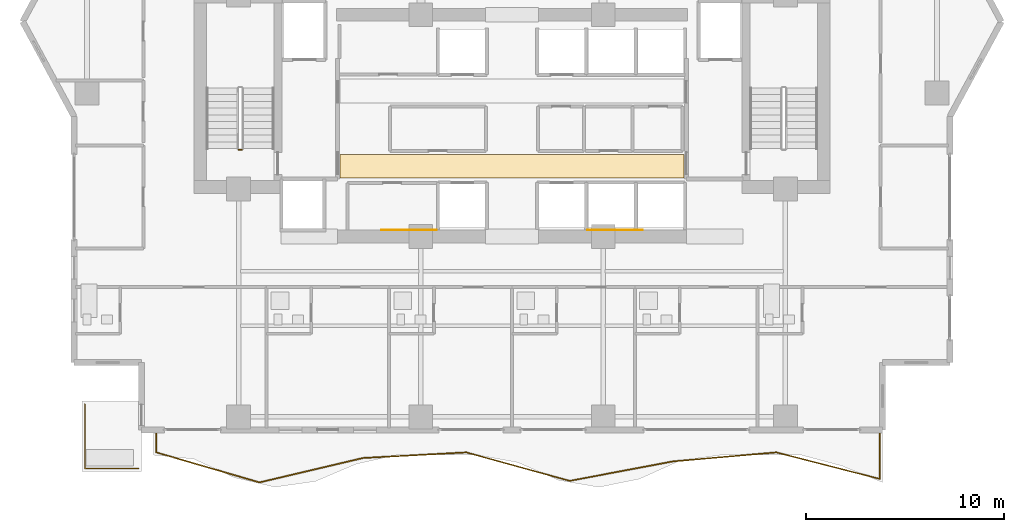
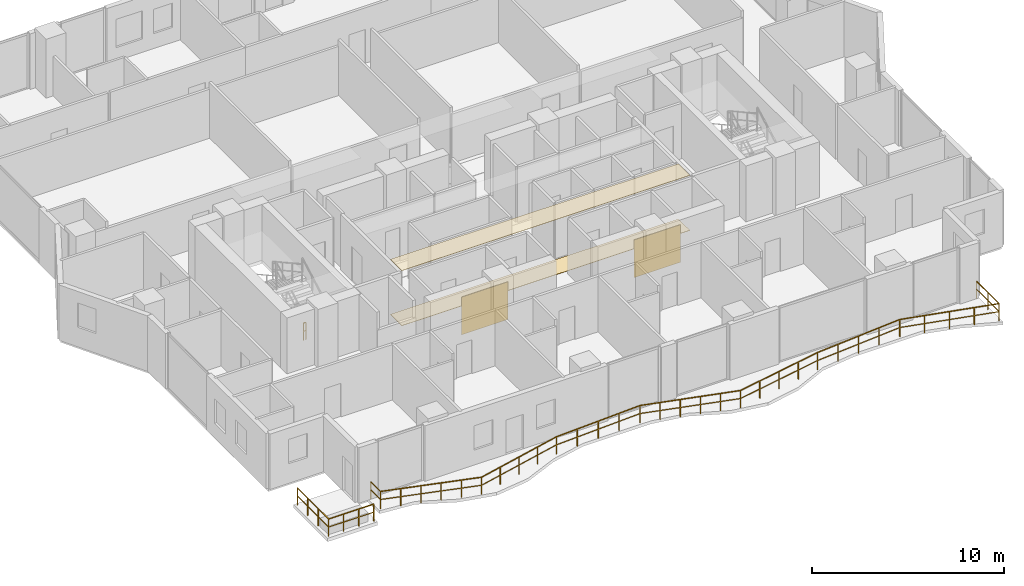
# One storey, part 29 of 32: 4 coverings, 3 railings.
"""IFC4 building model written with IfcOpenShell, lengths in metres."""

from ifc_helpers import new_model, si_unit, direction, frame, origin, origin_2d, place, context, subcontext, project, spatial, polyline, rectangle, outline, extrude, material, layer, layer_set, type_object, element, save


model = new_model("IFC4")

# Units and contexts
model_context = context("Model", 3, precision=1e-05, world=origin(), true_north=direction((0.0, 1.0)))
body_context = subcontext(model_context, "Body", "Model", "MODEL_VIEW")
ifc_project = project(units=[si_unit("LENGTHUNIT", "METRE"), si_unit("AREAUNIT", "SQUARE_METRE"), si_unit("VOLUMEUNIT", "CUBIC_METRE"), si_unit("PLANEANGLEUNIT", "RADIAN"), si_unit("MASSUNIT", "GRAM", prefix="KILO")], contexts=[model_context])

# Site, building, storey
site_placement = place(None, origin())
site = spatial("IfcSite", under=ifc_project, at=site_placement, CompositionType="ELEMENT")
building_placement = place(site_placement, origin())
building = spatial("IfcBuilding", under=site, at=building_placement, Name="Zuhayl Quay Hotel", CompositionType="ELEMENT")
storey_placement = place(building_placement, frame((0.0, 0.0, 192.39990234375)))
storey = spatial("IfcBuildingStorey", under=building, at=storey_placement, Name="L48", CompositionType="ELEMENT", Elevation=192.39990234375)

# Coverings
ifc_material_1 = material(Name="Acoustic Mineral-Fibre Gypsum Board")
ifc_layer_1 = layer(ifc_material_1, 0.02490234375, Name="Acoustic Mineral-Fibre Gypsum Board")
ifc_layer_set_1 = layer_set([ifc_layer_1], Name="Acoustic Mineral-Fibre Gypsum Board")
covering_type_1 = type_object("IfcCoveringType", Name="CV_CEIL_ACOUSTIC", PredefinedType="CEILING", material=ifc_layer_set_1)
covering_1_placement = place(storey_placement, frame((0.0, 0.0, 3.505126953125)))
element("IfcCovering", 1, at=covering_1_placement, inside=storey, type_object=covering_type_1, Name="L48 Suspended Acoustic Lobby Ceiling S", PredefinedType="CEILING", context=body_context, shape_type="SweptSolid", body=[
    extrude(outline(polyline([(-8.679931640625, 5.10009765625), (8.679931640625, 5.10009765625), (8.679931640625, 6.300048828125), (-8.679931640625, 6.300048828125), (-8.679931640625, 5.10009765625)])), origin(), (0.0, 0.0, 1.0), 0.02490234375),
])
ifc_material_2 = material(Name="Polished Limestone Terrazzo", Category="masonry")
ifc_layer_2 = layer(ifc_material_2, 0.02001953125, Name="Polished Limestone Terrazzo", Category="masonry")
ifc_layer_set_2 = layer_set([ifc_layer_2], Name="Polished Limestone Terrazzo")
covering_type_2 = type_object("IfcCoveringType", Name="CV_FLOOR_TERRAZZO", PredefinedType="FLOORING", material=ifc_layer_set_2)
covering_2_placement = place(storey_placement, origin())
element("IfcCovering", 2, at=covering_2_placement, inside=storey, type_object=covering_type_2, Name="L48 Honed Limestone Terrazzo Lobby Flooring S", PredefinedType="FLOORING", context=body_context, shape_type="SweptSolid", body=[
    extrude(outline(polyline([(-8.679931640625, 5.10009765625), (8.679931640625, 5.10009765625), (8.679931640625, 6.300048828125), (-8.679931640625, 6.300048828125), (-8.679931640625, 5.10009765625)])), origin(), (0.0, 0.0, 1.0), 0.02001953125),
])
ifc_material_3 = material(Name="Acoustic Walnut Feature Timber", Category="wood")
ifc_layer_3 = layer(ifc_material_3, 0.02197265625, Name="Acoustic Walnut Feature Timber", Category="wood")
ifc_layer_set_3 = layer_set([ifc_layer_3], Name="Acoustic Walnut Feature Timber")
covering_type_3 = type_object("IfcCoveringType", Name="CV_WALL_CLAD", PredefinedType="CLADDING", material=ifc_layer_set_3)
for number, where, z_axis, x_axis, name in (
    (3, (-5.199951171875, 2.486083984375, 0.300048828125), (0.0, 0.0, 1.0), (1.0, 0.0, 0.0), "L48 Feature Lobby Walnut Wall Cladding W"),
    (4, (5.199951171875, 2.486083984375, 0.300048828125), (0.0, 0.0, 1.0), (1.0, 0.0, 0.0), "L48 Feature Lobby Walnut Wall Cladding E"),
):
    element("IfcCovering", number, at=place(storey_placement, frame(where, z_axis=z_axis, x_axis=x_axis)), inside=storey, type_object=covering_type_3, Name=name, PredefinedType="CLADDING", context=body_context, shape_type="SweptSolid", body=[
        extrude(rectangle(XDim=2.800048828125, YDim=0.02197265625, at=origin_2d()), origin(), (0.0, 0.0, 1.0), 2.39990234375),
    ])

# Railings
ifc_material_4 = material(Name="Anodised Aluminium and Laminated Glass", Category="aluminium")
railing_type_1 = type_object("IfcRailingType", Name="RL_EXT_BAL_1100", PredefinedType="BALUSTRADE", material=ifc_material_4)
railing_1_placement = place(storey_placement, frame((-17.9599609375, -7.719970703125, 0.0)))
element("IfcRailing", 5, at=railing_1_placement, inside=storey, type_object=railing_type_1, Name="L48 Balcony and Terrace Guard GR_L48_BAL_S", PredefinedType="BALUSTRADE", context=body_context, shape_type="SweptSolid", body=[
    extrude(rectangle(XDim=0.048095703125, YDim=0.048095703125, at=origin_2d()), frame((0.0, 0.0, 1.09619140625), z_axis=(0.0, -1.0, 0.0), x_axis=(1.0, 0.0, 0.0)), (0.0, 0.0, 1.0), 1.02001953125),
    extrude(rectangle(XDim=0.0361328125, YDim=0.0361328125, at=origin_2d()), frame((0.0, 0.0, 0.58251953125), z_axis=(0.0, -1.0, 0.0), x_axis=(1.0, 0.0, 0.0)), (0.0, 0.0, 1.0), 1.02001953125),
    extrude(rectangle(XDim=0.048095703125, YDim=0.048095703125, at=origin_2d()), frame((0.0, -1.02001953125, 1.09619140625), z_axis=(0.960248748144, -0.279145735573, 0.0), x_axis=(0.279145735573, 0.960248748144, 0.0)), (0.0, 0.0, 1.0), 5.43310546875),
    extrude(rectangle(XDim=0.0361328125, YDim=0.0361328125, at=origin_2d()), frame((0.0, -1.02001953125, 0.58251953125), z_axis=(0.960248748144, -0.279145735573, 0.0), x_axis=(0.279145735573, 0.960248748144, 0.0)), (0.0, 0.0, 1.0), 5.43310546875),
    extrude(rectangle(XDim=0.048095703125, YDim=0.048095703125, at=origin_2d()), frame((5.217041015625, -2.53662109375, 1.09619140625), z_axis=(0.973226302947, 0.229849000981, 0.0), x_axis=(-0.229849000981, 0.973226302947, 0.0)), (0.0, 0.0, 1.0), 5.36083984375),
    extrude(rectangle(XDim=0.0361328125, YDim=0.0361328125, at=origin_2d()), frame((5.217041015625, -2.53662109375, 0.58251953125), z_axis=(0.973226302947, 0.229849000981, 0.0), x_axis=(-0.229849000981, 0.973226302947, 0.0)), (0.0, 0.0, 1.0), 5.36083984375),
    extrude(rectangle(XDim=0.048095703125, YDim=0.048095703125, at=origin_2d()), frame((10.434326171875, -1.304443359375, 1.09619140625), z_axis=(0.998517186082, 0.054437386952, 0.0), x_axis=(-0.054437386952, 0.998517186082, 0.0)), (0.0, 0.0, 1.0), 5.224853515625),
    extrude(rectangle(XDim=0.0361328125, YDim=0.0361328125, at=origin_2d()), frame((10.434326171875, -1.304443359375, 0.58251953125), z_axis=(0.998517186082, 0.054437386952, 0.0), x_axis=(-0.054437386952, 0.998517186082, 0.0)), (0.0, 0.0, 1.0), 5.224853515625),
    extrude(rectangle(XDim=0.048095703125, YDim=0.048095703125, at=origin_2d()), frame((15.6513671875, -1.02001953125, 1.09619140625), z_axis=(0.964052411392, -0.265712152695, 0.0), x_axis=(0.265712152695, 0.964052411392, 0.0)), (0.0, 0.0, 1.0), 5.411865234375),
    extrude(rectangle(XDim=0.0361328125, YDim=0.0361328125, at=origin_2d()), frame((15.6513671875, -1.02001953125, 0.58251953125), z_axis=(0.964052411392, -0.265712152695, 0.0), x_axis=(0.265712152695, 0.964052411392, 0.0)), (0.0, 0.0, 1.0), 5.411865234375),
    extrude(rectangle(XDim=0.048095703125, YDim=0.048095703125, at=origin_2d()), frame((20.86865234375, -2.4580078125, 1.09619140625), z_axis=(0.982727673086, 0.185057614137, 0.0), x_axis=(-0.185057614137, 0.982727673086, 0.0)), (0.0, 0.0, 1.0), 5.308837890625),
    extrude(rectangle(XDim=0.0361328125, YDim=0.0361328125, at=origin_2d()), frame((20.86865234375, -2.4580078125, 0.58251953125), z_axis=(0.982727673086, 0.185057614137, 0.0), x_axis=(-0.185057614137, 0.982727673086, 0.0)), (0.0, 0.0, 1.0), 5.308837890625),
    extrude(rectangle(XDim=0.048095703125, YDim=0.048095703125, at=origin_2d()), frame((26.085693359375, -1.4755859375, 1.09619140625), z_axis=(0.996209387411, 0.086987679781, 0.0), x_axis=(-0.086987679781, 0.996209387411, 0.0)), (0.0, 0.0, 1.0), 5.237060546875),
    extrude(rectangle(XDim=0.0361328125, YDim=0.0361328125, at=origin_2d()), frame((26.085693359375, -1.4755859375, 0.58251953125), z_axis=(0.996209387411, 0.086987679781, 0.0), x_axis=(-0.086987679781, 0.996209387411, 0.0)), (0.0, 0.0, 1.0), 5.237060546875),
    extrude(rectangle(XDim=0.048095703125, YDim=0.048095703125, at=origin_2d()), frame((31.302978515625, -1.02001953125, 1.09619140625), z_axis=(0.968590002809, -0.248663239057, 0.0), x_axis=(0.248663239057, 0.968590002809, 0.0)), (0.0, 0.0, 1.0), 5.38623046875),
    extrude(rectangle(XDim=0.0361328125, YDim=0.0361328125, at=origin_2d()), frame((31.302978515625, -1.02001953125, 0.58251953125), z_axis=(0.968590002809, -0.248663239057, 0.0), x_axis=(0.248663239057, 0.968590002809, 0.0)), (0.0, 0.0, 1.0), 5.38623046875),
    extrude(rectangle(XDim=0.048095703125, YDim=0.048095703125, at=origin_2d()), frame((36.52001953125, -2.359375, 1.09619140625), z_axis=(0.0, 1.0, 0.0), x_axis=(-1.0, 0.0, 0.0)), (0.0, 0.0, 1.0), 2.359375),
    extrude(rectangle(XDim=0.0361328125, YDim=0.0361328125, at=origin_2d()), frame((36.52001953125, -2.359375, 0.58251953125), z_axis=(0.0, 1.0, 0.0), x_axis=(-1.0, 0.0, 0.0)), (0.0, 0.0, 1.0), 2.359375),
    extrude(rectangle(XDim=0.0419921875, YDim=0.0419921875, at=origin_2d()), origin(), (0.0, 0.0, 1.0), 1.072021484375),
    extrude(rectangle(XDim=0.0419921875, YDim=0.0419921875, at=origin_2d()), frame((0.0, -1.02001953125, 0.0)), (0.0, 0.0, 1.0), 1.072021484375),
    extrude(rectangle(XDim=0.0419921875, YDim=0.0419921875, at=origin_2d()), frame((1.04345703125, -1.3232421875, 0.0)), (0.0, 0.0, 1.0), 1.072021484375),
    extrude(rectangle(XDim=0.0419921875, YDim=0.0419921875, at=origin_2d()), frame((2.0869140625, -1.626708984375, 0.0)), (0.0, 0.0, 1.0), 1.072021484375),
    extrude(rectangle(XDim=0.0419921875, YDim=0.0419921875, at=origin_2d()), frame((3.130126953125, -1.929931640625, 0.0)), (0.0, 0.0, 1.0), 1.072021484375),
    extrude(rectangle(XDim=0.0419921875, YDim=0.0419921875, at=origin_2d()), frame((4.173583984375, -2.2333984375, 0.0)), (0.0, 0.0, 1.0), 1.072021484375),
    extrude(rectangle(XDim=0.0419921875, YDim=0.0419921875, at=origin_2d()), frame((5.217041015625, -2.53662109375, 0.0)), (0.0, 0.0, 1.0), 1.072021484375),
    extrude(rectangle(XDim=0.0419921875, YDim=0.0419921875, at=origin_2d()), frame((6.521484375, -2.228515625, 0.0)), (0.0, 0.0, 1.0), 1.072021484375),
    extrude(rectangle(XDim=0.0419921875, YDim=0.0419921875, at=origin_2d()), frame((7.82568359375, -1.92041015625, 0.0)), (0.0, 0.0, 1.0), 1.072021484375),
    extrude(rectangle(XDim=0.0419921875, YDim=0.0419921875, at=origin_2d()), frame((9.1298828125, -1.612548828125, 0.0)), (0.0, 0.0, 1.0), 1.072021484375),
    extrude(rectangle(XDim=0.0419921875, YDim=0.0419921875, at=origin_2d()), frame((10.434326171875, -1.304443359375, 0.0)), (0.0, 0.0, 1.0), 1.072021484375),
    extrude(rectangle(XDim=0.0419921875, YDim=0.0419921875, at=origin_2d()), frame((11.738525390625, -1.2333984375, 0.0)), (0.0, 0.0, 1.0), 1.072021484375),
    extrude(rectangle(XDim=0.0419921875, YDim=0.0419921875, at=origin_2d()), frame((13.04296875, -1.162109375, 0.0)), (0.0, 0.0, 1.0), 1.072021484375),
    extrude(rectangle(XDim=0.0419921875, YDim=0.0419921875, at=origin_2d()), frame((14.34716796875, -1.091064453125, 0.0)), (0.0, 0.0, 1.0), 1.072021484375),
    extrude(rectangle(XDim=0.0419921875, YDim=0.0419921875, at=origin_2d()), frame((15.6513671875, -1.02001953125, 0.0)), (0.0, 0.0, 1.0), 1.072021484375),
    extrude(rectangle(XDim=0.0419921875, YDim=0.0419921875, at=origin_2d()), frame((16.69482421875, -1.3076171875, 0.0)), (0.0, 0.0, 1.0), 1.072021484375),
    extrude(rectangle(XDim=0.0419921875, YDim=0.0419921875, at=origin_2d()), frame((17.73828125, -1.59521484375, 0.0)), (0.0, 0.0, 1.0), 1.072021484375),
    extrude(rectangle(XDim=0.0419921875, YDim=0.0419921875, at=origin_2d()), frame((18.78173828125, -1.8828125, 0.0)), (0.0, 0.0, 1.0), 1.072021484375),
    extrude(rectangle(XDim=0.0419921875, YDim=0.0419921875, at=origin_2d()), frame((19.8251953125, -2.17041015625, 0.0)), (0.0, 0.0, 1.0), 1.072021484375),
    extrude(rectangle(XDim=0.0419921875, YDim=0.0419921875, at=origin_2d()), frame((20.86865234375, -2.4580078125, 0.0)), (0.0, 0.0, 1.0), 1.072021484375),
    extrude(rectangle(XDim=0.0419921875, YDim=0.0419921875, at=origin_2d()), frame((22.1728515625, -2.21240234375, 0.0)), (0.0, 0.0, 1.0), 1.072021484375),
    extrude(rectangle(XDim=0.0419921875, YDim=0.0419921875, at=origin_2d()), frame((23.47705078125, -1.966796875, 0.0)), (0.0, 0.0, 1.0), 1.072021484375),
    extrude(rectangle(XDim=0.0419921875, YDim=0.0419921875, at=origin_2d()), frame((24.781494140625, -1.72119140625, 0.0)), (0.0, 0.0, 1.0), 1.072021484375),
    extrude(rectangle(XDim=0.0419921875, YDim=0.0419921875, at=origin_2d()), frame((26.085693359375, -1.4755859375, 0.0)), (0.0, 0.0, 1.0), 1.072021484375),
    extrude(rectangle(XDim=0.0419921875, YDim=0.0419921875, at=origin_2d()), frame((27.39013671875, -1.36181640625, 0.0)), (0.0, 0.0, 1.0), 1.072021484375),
    extrude(rectangle(XDim=0.0419921875, YDim=0.0419921875, at=origin_2d()), frame((28.6943359375, -1.247802734375, 0.0)), (0.0, 0.0, 1.0), 1.072021484375),
    extrude(rectangle(XDim=0.0419921875, YDim=0.0419921875, at=origin_2d()), frame((29.99853515625, -1.1337890625, 0.0)), (0.0, 0.0, 1.0), 1.072021484375),
    extrude(rectangle(XDim=0.0419921875, YDim=0.0419921875, at=origin_2d()), frame((31.302978515625, -1.02001953125, 0.0)), (0.0, 0.0, 1.0), 1.072021484375),
    extrude(rectangle(XDim=0.0419921875, YDim=0.0419921875, at=origin_2d()), frame((32.607177734375, -1.35498046875, 0.0)), (0.0, 0.0, 1.0), 1.072021484375),
    extrude(rectangle(XDim=0.0419921875, YDim=0.0419921875, at=origin_2d()), frame((33.91162109375, -1.689697265625, 0.0)), (0.0, 0.0, 1.0), 1.072021484375),
    extrude(rectangle(XDim=0.0419921875, YDim=0.0419921875, at=origin_2d()), frame((35.2158203125, -2.0244140625, 0.0)), (0.0, 0.0, 1.0), 1.072021484375),
    extrude(rectangle(XDim=0.0419921875, YDim=0.0419921875, at=origin_2d()), frame((36.52001953125, -2.359375, 0.0)), (0.0, 0.0, 1.0), 1.072021484375),
    extrude(rectangle(XDim=0.0419921875, YDim=0.0419921875, at=origin_2d()), frame((36.52001953125, -1.1796875, 0.0)), (0.0, 0.0, 1.0), 1.072021484375),
    extrude(rectangle(XDim=0.0419921875, YDim=0.0419921875, at=origin_2d()), frame((36.52001953125, 0.0, 0.0)), (0.0, 0.0, 1.0), 1.072021484375),
])
railing_2_placement = place(storey_placement, frame((-21.56005859375, -6.2900390625, 0.0)))
element("IfcRailing", 6, at=railing_2_placement, inside=storey, type_object=railing_type_1, Name="L48 Balcony and Terrace Guard GR_L48_SPIRAL_SW", PredefinedType="BALUSTRADE", context=body_context, shape_type="SweptSolid", body=[
    extrude(rectangle(XDim=0.048095703125, YDim=0.048095703125, at=origin_2d()), frame((0.0, 0.0, 1.09619140625), z_axis=(0.0, -1.0, 0.0), x_axis=(1.0, 0.0, 0.0)), (0.0, 0.0, 1.0), 3.27001953125),
    extrude(rectangle(XDim=0.0361328125, YDim=0.0361328125, at=origin_2d()), frame((0.0, 0.0, 0.58251953125), z_axis=(0.0, -1.0, 0.0), x_axis=(1.0, 0.0, 0.0)), (0.0, 0.0, 1.0), 3.27001953125),
    extrude(rectangle(XDim=0.048095703125, YDim=0.048095703125, at=origin_2d()), frame((0.0, -3.27001953125, 1.09619140625), z_axis=(1.0, 0.0, 0.0), x_axis=(0.0, 1.0, 0.0)), (0.0, 0.0, 1.0), 2.719970703125),
    extrude(rectangle(XDim=0.0361328125, YDim=0.0361328125, at=origin_2d()), frame((0.0, -3.27001953125, 0.58251953125), z_axis=(1.0, 0.0, 0.0), x_axis=(0.0, 1.0, 0.0)), (0.0, 0.0, 1.0), 2.719970703125),
    extrude(rectangle(XDim=0.0419921875, YDim=0.0419921875, at=origin_2d()), origin(), (0.0, 0.0, 1.0), 1.072021484375),
    extrude(rectangle(XDim=0.0419921875, YDim=0.0419921875, at=origin_2d()), frame((0.0, -1.090087890625, 0.0)), (0.0, 0.0, 1.0), 1.072021484375),
    extrude(rectangle(XDim=0.0419921875, YDim=0.0419921875, at=origin_2d()), frame((0.0, -2.179931640625, 0.0)), (0.0, 0.0, 1.0), 1.072021484375),
    extrude(rectangle(XDim=0.0419921875, YDim=0.0419921875, at=origin_2d()), frame((0.0, -3.27001953125, 0.0)), (0.0, 0.0, 1.0), 1.072021484375),
    extrude(rectangle(XDim=0.0419921875, YDim=0.0419921875, at=origin_2d()), frame((0.90673828125, -3.27001953125, 0.0)), (0.0, 0.0, 1.0), 1.072021484375),
    extrude(rectangle(XDim=0.0419921875, YDim=0.0419921875, at=origin_2d()), frame((1.813232421875, -3.27001953125, 0.0)), (0.0, 0.0, 1.0), 1.072021484375),
    extrude(rectangle(XDim=0.0419921875, YDim=0.0419921875, at=origin_2d()), frame((2.719970703125, -3.27001953125, 0.0)), (0.0, 0.0, 1.0), 1.072021484375),
])
ifc_material_5 = material(Name="Steel ASTM A992 Grade 50", Category="steel")
railing_type_2 = type_object("IfcRailingType", Name="RL_GUARD_1100", PredefinedType="GUARDRAIL", material=ifc_material_5)
railing_3_placement = place(storey_placement, frame((-13.639892578125, 6.5400390625, 0.0)))
element("IfcRailing", 7, at=railing_3_placement, inside=storey, type_object=railing_type_2, Name="L48 ST1 stair guard 4", PredefinedType="GUARDRAIL", context=body_context, shape_type="SweptSolid", body=[
    extrude(rectangle(XDim=0.048095703125, YDim=0.048095703125, at=origin_2d()), frame((0.0, 0.0, 1.09619140625), z_axis=(-1.0, 0.0, 0.0), x_axis=(0.0, -1.0, 0.0)), (0.0, 0.0, 1.0), 0.150146484375),
    extrude(rectangle(XDim=0.0361328125, YDim=0.0361328125, at=origin_2d()), frame((0.0, 0.0, 0.58251953125), z_axis=(-1.0, 0.0, 0.0), x_axis=(0.0, -1.0, 0.0)), (0.0, 0.0, 1.0), 0.150146484375),
    extrude(rectangle(XDim=0.0419921875, YDim=0.0419921875, at=origin_2d()), origin(), (0.0, 0.0, 1.0), 1.072021484375),
    extrude(rectangle(XDim=0.0419921875, YDim=0.0419921875, at=origin_2d()), frame((-0.150146484375, 0.0, 0.0)), (0.0, 0.0, 1.0), 1.072021484375),
])

save(model, "model.ifc")
